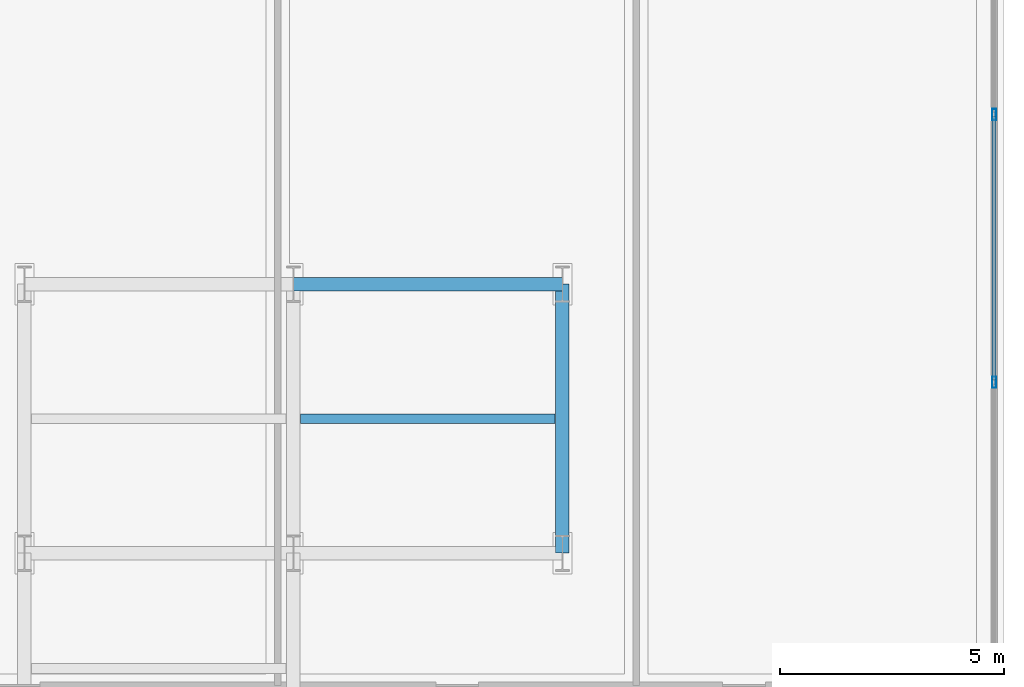
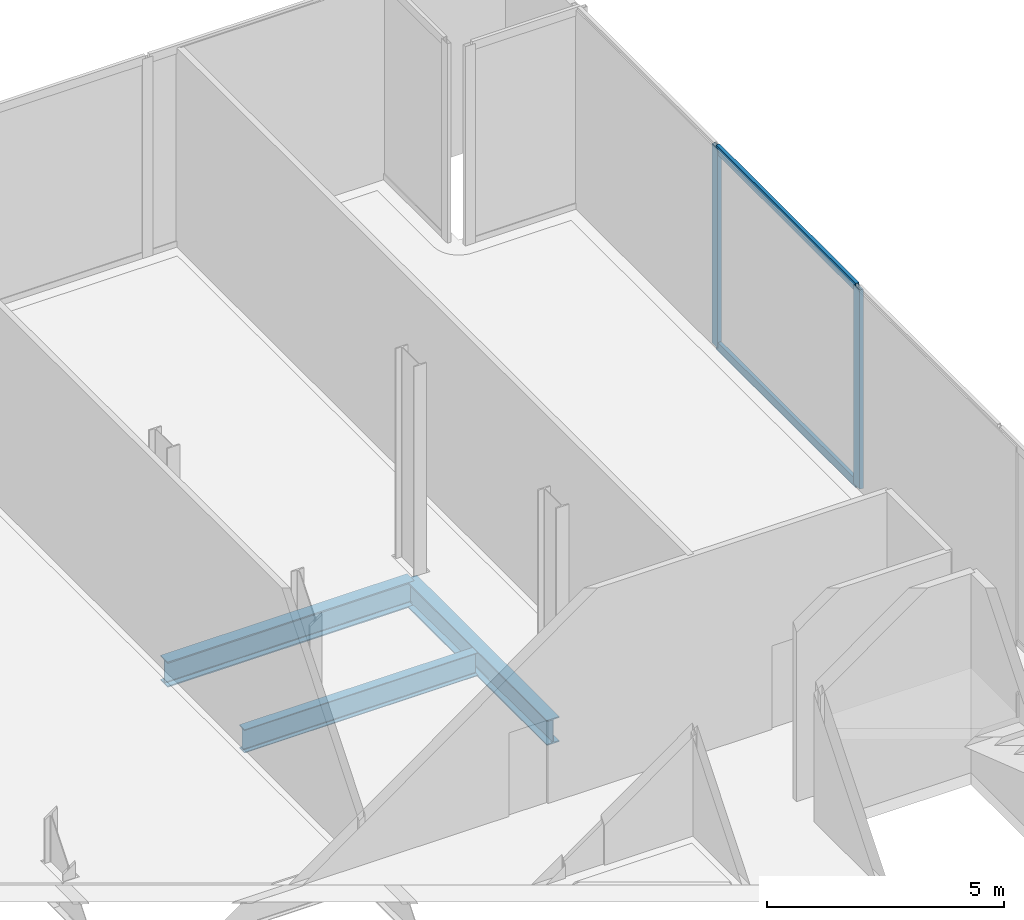
# One storey, part 18 of 27: 4 members, 3 beams, 1 element without a shape of its own.
"""IFC4 building model written with IfcOpenShell, lengths in metres."""

from ifc_helpers import new_model, si_unit, direction, frame, origin, origin_2d, place, context, subcontext, project, spatial, hollow_rectangle, i_section, extrude, material, layer, layer_set, material_profile, profile_set, type_object, element, aggregate, save


model = new_model("IFC4")

# Units and contexts
model_context = context("Model", 3, precision=1e-05, world=origin(), true_north=direction((0.0, 1.0)))
body_context = subcontext(model_context, "Body", "Model", "MODEL_VIEW")
ifc_project = project(units=[si_unit("LENGTHUNIT", "METRE"), si_unit("AREAUNIT", "SQUARE_METRE"), si_unit("VOLUMEUNIT", "CUBIC_METRE"), si_unit("PLANEANGLEUNIT", "RADIAN"), si_unit("MASSUNIT", "GRAM", prefix="KILO"), si_unit("THERMODYNAMICTEMPERATUREUNIT", "KELVIN"), si_unit("POWERUNIT", "WATT")], contexts=[model_context])

# Site, building, storey
site_placement = place(None, origin())
site = spatial("IfcSite", under=ifc_project, at=site_placement, CompositionType="ELEMENT")
building_placement = place(site_placement, origin())
building = spatial("IfcBuilding", under=site, at=building_placement, Name="Svarakhadi Broadcast Tower", CompositionType="ELEMENT")
storey_placement = place(building_placement, frame((0.0, 0.0, 16.5)))
storey = spatial("IfcBuildingStorey", under=building, at=storey_placement, Name="L03", CompositionType="ELEMENT", Elevation=16.5)

# Beam
ifc_material_1 = material(Name="Steel S355J2 (IS 2062 E350C)", Category="steel")
ifc_material_profile_1 = material_profile(ifc_material_1, i_section(OverallWidth=0.219970703125, OverallDepth=0.60009765625, WebThickness=0.011962890625, FlangeThickness=0.01904296875, FilletRadius=0.02392578125, at=origin_2d()), Name="NPB 600x220x122")
ifc_profile_set_1 = profile_set([ifc_material_profile_1], Name="Steel S355J2 (IS 2062 E350C)")
beam_type_1 = type_object("IfcBeamType", Name="Beam_NPB600", PredefinedType="BEAM", material=ifc_profile_set_1)
beam_placement = place(storey_placement, frame((47.31005859375, 32.14990234375, -0.60009765625), z_axis=(1.0, 0.0, 0.0), x_axis=(0.0, 1.0, 0.0)))
element("IfcBeam", 1, at=beam_placement, inside=storey, type_object=beam_type_1, Name="L03 Secondary Composite Beam SB028", PredefinedType="BEAM", context=body_context, shape_type="SweptSolid", body=[
    extrude(i_section(OverallWidth=0.219970703125, OverallDepth=0.60009765625, WebThickness=0.011962890625, FlangeThickness=0.01904296875, FilletRadius=0.02392578125, at=origin_2d()), origin(), (0.0, 0.0, 1.0), 5.679931640625),
])

# Curtain wall, members
ifc_material_2 = material(Name="Anodised Bronze Aluminium AA 6063-T6", Category="aluminium")
ifc_layer = layer(ifc_material_2, 0.25)
ifc_layer_set = layer_set([ifc_layer], Name="Anodised Bronze Aluminium AA 6063-T6")
curtain_wall_type = type_object("IfcCurtainWallType", Name="CW_Sys_01", PredefinedType="NOTDEFINED", material=ifc_layer_set)
curtain_wall_placement = place(storey_placement, origin())
curtain_wall = element("IfcCurtainWall", 2, at=curtain_wall_placement, inside=storey, type_object=curtain_wall_type, Name="L03 Unitised Facade Curtain Wall 08", PredefinedType="NOTDEFINED")
ifc_material_profile_2 = material_profile(ifc_material_2, hollow_rectangle(XDim=0.094970703125, YDim=0.25, WallThickness=0.006103515625, at=origin_2d()), Name="ALU MULLION 250x95x6")
ifc_profile_set_2 = profile_set([ifc_material_profile_2], Name="Anodised Bronze Aluminium AA 6063-T6")
member_type_1 = type_object("IfcMemberType", Name="CW_Sys_01_Mul", PredefinedType="MULLION", material=ifc_profile_set_2)
member_1_placement = place(storey_placement, frame((62.780029296875, 38.935791015625, 0.0), z_axis=(0.0, 0.0, 1.0), x_axis=(1.0, 0.0, 0.0)))
member_1 = element("IfcMember", 3, at=member_1_placement, type_object=member_type_1, Name="CW-01 mullion 2", PredefinedType="MULLION", context=body_context, shape_type="SweptSolid", body=[
    extrude(hollow_rectangle(XDim=0.094970703125, YDim=0.25, WallThickness=0.006103515625, at=origin_2d()), origin(), (0.0, 0.0, 1.0), 5.125),
])
member_2_placement = place(storey_placement, frame((62.780029296875, 32.96142578125, 0.0), z_axis=(0.0, 0.0, 1.0), x_axis=(1.0, 0.0, 0.0)))
member_2 = element("IfcMember", 4, at=member_2_placement, type_object=member_type_1, Name="CW-01 mullion 3", PredefinedType="MULLION", context=body_context, shape_type="SweptSolid", body=[
    extrude(hollow_rectangle(XDim=0.094970703125, YDim=0.25, WallThickness=0.006103515625, at=origin_2d()), origin(), (0.0, 0.0, 1.0), 5.125),
])
ifc_material_profile_3 = material_profile(ifc_material_2, hollow_rectangle(XDim=0.0849609375, YDim=0.219970703125, WallThickness=0.0048828125, at=origin_2d()), Name="ALU TRANSOM 220x85x5")
ifc_profile_set_3 = profile_set([ifc_material_profile_3], Name="Anodised Bronze Aluminium AA 6063-T6")
member_type_2 = type_object("IfcMemberType", Name="CW_Sys_01_Trn", PredefinedType="USERDEFINED", material=ifc_profile_set_3)
member_3_placement = place(storey_placement, frame((62.780029296875, 38.88818359375, 0.04248046875), z_axis=(0.0, -1.0, 0.0), x_axis=(1.0, 0.0, 0.0)))
member_3 = element("IfcMember", 5, at=member_3_placement, type_object=member_type_2, Name="CW-01 transom 2.1", ObjectType="TRANSOM", PredefinedType="USERDEFINED", context=body_context, shape_type="SweptSolid", body=[
    extrude(hollow_rectangle(XDim=0.0849609375, YDim=0.219970703125, WallThickness=0.0048828125, at=origin_2d()), origin(), (0.0, 0.0, 1.0), 5.879150390625),
])
member_4_placement = place(storey_placement, frame((62.780029296875, 38.88818359375, 5.08251953125), z_axis=(0.0, -1.0, 0.0), x_axis=(1.0, 0.0, 0.0)))
member_4 = element("IfcMember", 6, at=member_4_placement, type_object=member_type_2, Name="CW-01 transom 2.2", ObjectType="TRANSOM", PredefinedType="USERDEFINED", context=body_context, shape_type="SweptSolid", body=[
    extrude(hollow_rectangle(XDim=0.0849609375, YDim=0.219970703125, WallThickness=0.0048828125, at=origin_2d()), origin(), (0.0, 0.0, 1.0), 5.879150390625),
])
aggregate(curtain_wall, [member_1, member_2, member_3, member_4])

# Beams
ifc_material_profile_4 = material_profile(ifc_material_1, i_section(OverallWidth=0.300048828125, OverallDepth=0.64990234375, WebThickness=0.01611328125, FlangeThickness=0.031005859375, FilletRadius=0.027099609375, at=origin_2d()), Name="WPB 650x300x225")
ifc_profile_set_4 = profile_set([ifc_material_profile_4], Name="Steel S355J2 (IS 2062 E350C)")
beam_type_2 = type_object("IfcBeamType", Name="Girder_WPB650", PredefinedType="USERDEFINED", material=ifc_profile_set_4)
for number, where, z_axis, x_axis, name in (
    (7, (47.14990234375, 35.14990234375, -0.625), (1.0, 0.0, 0.0), (0.0, 1.0, 0.0), "L03 Primary E-W Girder G039"),
    (8, (53.14990234375, 29.14990234375, -0.625), (0.0, 1.0, 0.0), (-1.0, 0.0, 0.0), "L03 Primary N-S Girder G085"),
):
    element("IfcBeam", number, at=place(storey_placement, frame(where, z_axis=z_axis, x_axis=x_axis)), inside=storey, type_object=beam_type_2, Name=name, ObjectType="GIRDER", PredefinedType="USERDEFINED", context=body_context, shape_type="SweptSolid", body=[
        extrude(i_section(OverallWidth=0.300048828125, OverallDepth=0.64990234375, WebThickness=0.01611328125, FlangeThickness=0.031005859375, FilletRadius=0.027099609375, at=origin_2d()), origin(), (0.0, 0.0, 1.0), 6.0),
    ])

save(model, "model.ifc")
